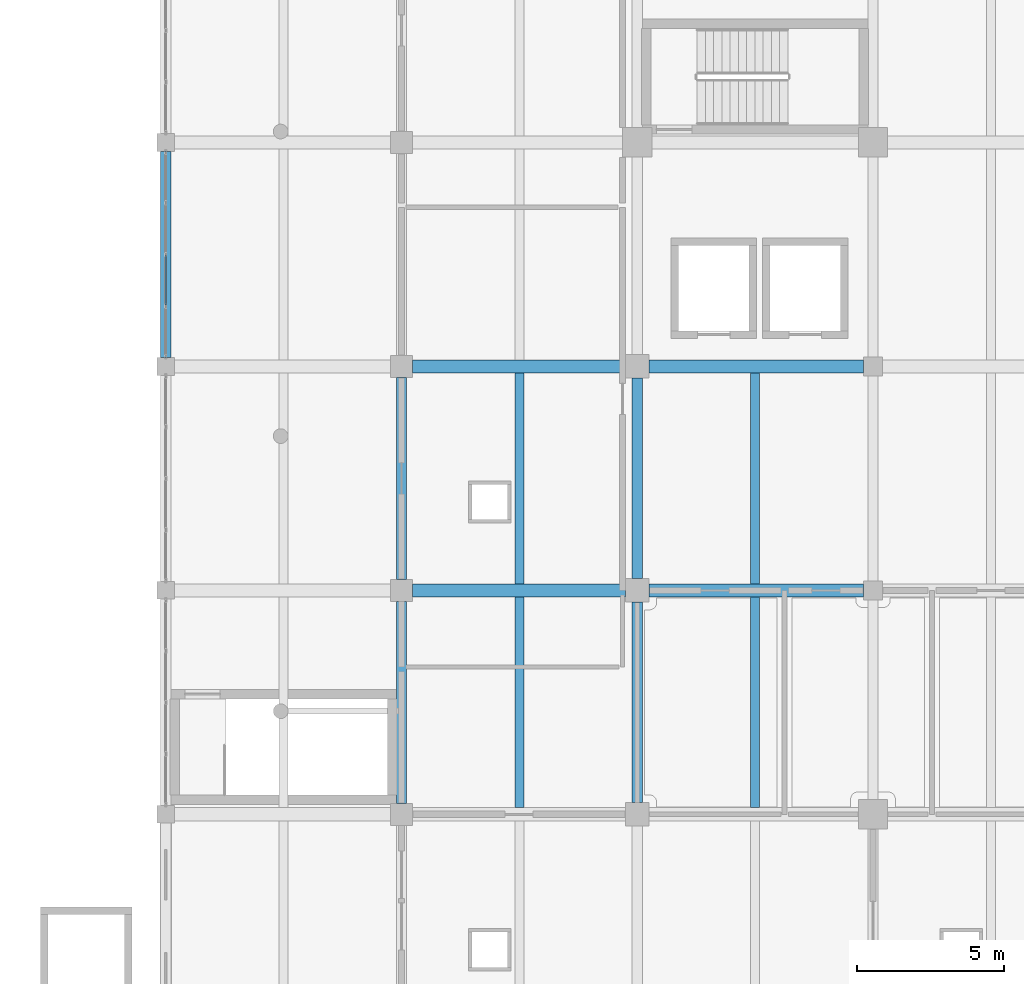
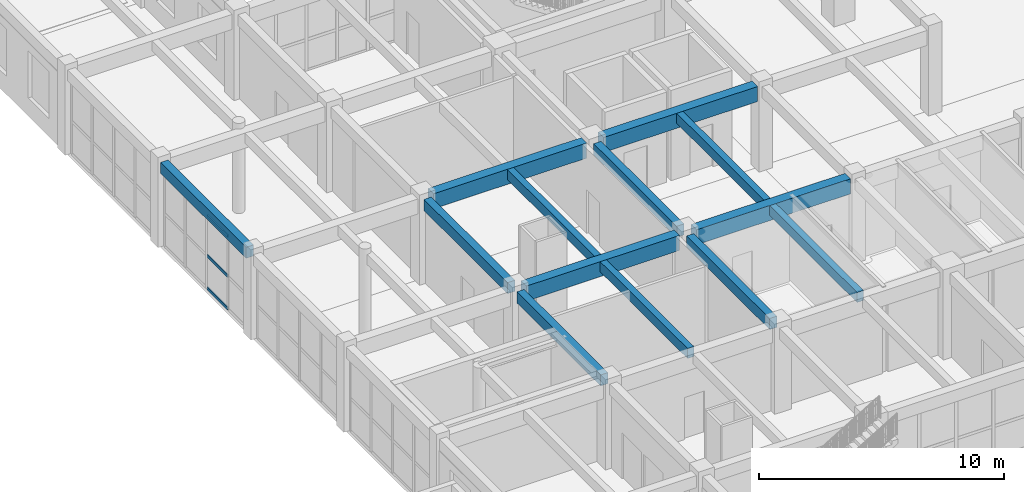
# One storey, part 16 of 79: 13 beams, 3 members, 1 element without a shape of its own.
"""IFC4 building model written with IfcOpenShell, lengths in metres."""

from ifc_helpers import new_model, si_unit, direction, frame, origin, origin_2d, place, context, subcontext, project, spatial, rectangle, hollow_rectangle, extrude, material, material_profile, profile_set, type_object, element, aggregate, save


model = new_model("IFC4")

# Units and contexts
model_context = context("Model", 3, precision=1e-05, world=origin(), true_north=direction((0.0, 1.0)))
body_context = subcontext(model_context, "Body", "Model", "MODEL_VIEW")
ifc_project = project(units=[si_unit("LENGTHUNIT", "METRE"), si_unit("AREAUNIT", "SQUARE_METRE"), si_unit("VOLUMEUNIT", "CUBIC_METRE"), si_unit("PLANEANGLEUNIT", "RADIAN"), si_unit("MASSUNIT", "GRAM", prefix="KILO")], contexts=[model_context])

# Site, building, storey
site_placement = place(None, origin())
site = spatial("IfcSite", under=ifc_project, at=site_placement, CompositionType="ELEMENT")
building_placement = place(site_placement, origin())
building = spatial("IfcBuilding", under=site, at=building_placement, Name="Zantavel Square City Hall", CompositionType="ELEMENT")
storey_placement = place(building_placement, frame((0.0, 0.0, 10.199951171875)))
storey = spatial("IfcBuildingStorey", under=building, at=storey_placement, Name="L03", CompositionType="ELEMENT", Elevation=10.199951171875)

# Curtain wall, members
ifc_material_1 = material(Name="Anodised aluminium 6063-T6", Category="aluminium")
curtain_wall_type = type_object("IfcCurtainWallType", Name="Curtain Wall CRT 7000x3670", PredefinedType="USERDEFINED", material=ifc_material_1)
curtain_wall_placement = place(storey_placement, origin())
curtain_wall = element("IfcCurtainWall", 1, at=curtain_wall_placement, inside=storey, type_object=curtain_wall_type, Name="L03 Glazed Curtain Wall CW-L03-103", ObjectType="GLAZED CURTAIN WALL", PredefinedType="USERDEFINED")
ifc_material_profile_1 = material_profile(ifc_material_1, hollow_rectangle(XDim=0.06005859375, YDim=0.139892578125, WallThickness=0.00390625, at=origin_2d()), Name="ALU 60x140x4")
ifc_profile_set_1 = profile_set([ifc_material_profile_1], Name="Anodised aluminium 6063-T6")
member_type = type_object("IfcMemberType", Name="CW Transom ALU 60x140x4", PredefinedType="USERDEFINED", material=ifc_profile_set_1)
member_1_placement = place(storey_placement, frame((48.0, 55.280029296875, 0.030029296875), z_axis=(0.0, 1.0, 0.0), x_axis=(-1.0, 0.0, 0.0)))
member_1 = element("IfcMember", 2, at=member_1_placement, type_object=member_type, Name="CW-103 transom 2.1", ObjectType="TRANSOM", PredefinedType="USERDEFINED", context=body_context, shape_type="SweptSolid", body=[
    extrude(hollow_rectangle(XDim=0.06005859375, YDim=0.139892578125, WallThickness=0.00390625, at=origin_2d()), origin(), (0.0, 0.0, 1.0), 1.68994140625),
])
member_2_placement = place(storey_placement, frame((48.0, 55.280029296875, 1.651123046875), z_axis=(0.0, 1.0, 0.0), x_axis=(-1.0, 0.0, 0.0)))
member_2 = element("IfcMember", 3, at=member_2_placement, type_object=member_type, Name="CW-103 transom 2.2", ObjectType="TRANSOM", PredefinedType="USERDEFINED", context=body_context, shape_type="SweptSolid", body=[
    extrude(hollow_rectangle(XDim=0.06005859375, YDim=0.139892578125, WallThickness=0.00390625, at=origin_2d()), origin(), (0.0, 0.0, 1.0), 1.68994140625),
])
member_3_placement = place(storey_placement, frame((48.0, 55.280029296875, 3.64013671875), z_axis=(0.0, 1.0, 0.0), x_axis=(-1.0, 0.0, 0.0)))
member_3 = element("IfcMember", 4, at=member_3_placement, type_object=member_type, Name="CW-103 transom 2.3", ObjectType="TRANSOM", PredefinedType="USERDEFINED", context=body_context, shape_type="SweptSolid", body=[
    extrude(hollow_rectangle(XDim=0.06005859375, YDim=0.139892578125, WallThickness=0.00390625, at=origin_2d()), origin(), (0.0, 0.0, 1.0), 1.68994140625),
])
aggregate(curtain_wall, [member_1, member_2, member_3])

# Beams
ifc_material_2 = material(Name="Concrete C35/45", Category="concrete")
ifc_material_profile_2 = material_profile(ifc_material_2, rectangle(XDim=0.300048828125, YDim=0.5, at=origin_2d()), Name="RC 300x500")
ifc_profile_set_2 = profile_set([ifc_material_profile_2], Name="Concrete C35/45")
beam_type_1 = type_object("IfcBeamType", Name="Floor Joist RC 300x500 C35/45", PredefinedType="JOIST", material=ifc_profile_set_2)
beam_1_placement = place(storey_placement, frame((60.0, 38.22509765625, 3.969970703125), z_axis=(0.0, 1.0, 0.0), x_axis=(-1.0, 0.0, 0.0)))
element("IfcBeam", 5, at=beam_1_placement, inside=storey, type_object=beam_type_1, Name="L03 Floor Joist JST-L03-0600-0380", PredefinedType="JOIST", context=body_context, shape_type="SweptSolid", body=[
    extrude(rectangle(XDim=0.300048828125, YDim=0.5, at=origin_2d()), origin(), (0.0, 0.0, 1.0), 7.14990234375),
])
beam_2_placement = place(storey_placement, frame((60.0, 45.824951171875, 3.969970703125), z_axis=(0.0, 1.0, 0.0), x_axis=(-1.0, 0.0, 0.0)))
element("IfcBeam", 6, at=beam_2_placement, inside=storey, type_object=beam_type_1, Name="L03 Floor Joist JST-L03-0600-0456", PredefinedType="JOIST", context=body_context, shape_type="SweptSolid", body=[
    extrude(rectangle(XDim=0.300048828125, YDim=0.5, at=origin_2d()), origin(), (0.0, 0.0, 1.0), 7.150146484375),
])
beam_3_placement = place(storey_placement, frame((68.0, 38.22509765625, 3.969970703125), z_axis=(0.0, 1.0, 0.0), x_axis=(-1.0, 0.0, 0.0)))
element("IfcBeam", 7, at=beam_3_placement, inside=storey, type_object=beam_type_1, Name="L03 Floor Joist JST-L03-0680-0380", PredefinedType="JOIST", context=body_context, shape_type="SweptSolid", body=[
    extrude(rectangle(XDim=0.300048828125, YDim=0.5, at=origin_2d()), origin(), (0.0, 0.0, 1.0), 7.14990234375),
])
beam_4_placement = place(storey_placement, frame((68.0, 45.824951171875, 3.969970703125), z_axis=(0.0, 1.0, 0.0), x_axis=(-1.0, 0.0, 0.0)))
element("IfcBeam", 8, at=beam_4_placement, inside=storey, type_object=beam_type_1, Name="L03 Floor Joist JST-L03-0680-0456", PredefinedType="JOIST", context=body_context, shape_type="SweptSolid", body=[
    extrude(rectangle(XDim=0.300048828125, YDim=0.5, at=origin_2d()), origin(), (0.0, 0.0, 1.0), 7.150146484375),
])
ifc_material_profile_3 = material_profile(ifc_material_2, rectangle(XDim=0.449951171875, YDim=0.75, at=origin_2d()), Name="RC 450x750")
ifc_profile_set_3 = profile_set([ifc_material_profile_3], Name="Concrete C35/45")
beam_type_2 = type_object("IfcBeamType", Name="Primary Girder RC 450x750 C35/45", PredefinedType="BEAM", material=ifc_profile_set_3)
for number, where, z_axis, x_axis, name in (
    (9, (56.375, 45.60009765625, 3.844970703125), (1.0, 0.0, 0.0), (0.0, 1.0, 0.0), "L03 Girder BMX-L03-0560-0456"),
    (10, (56.375, 53.199951171875, 3.844970703125), (1.0, 0.0, 0.0), (0.0, 1.0, 0.0), "L03 Girder BMX-L03-0560-0532"),
):
    element("IfcBeam", number, at=place(storey_placement, frame(where, z_axis=z_axis, x_axis=x_axis)), inside=storey, type_object=beam_type_2, Name=name, PredefinedType="BEAM", context=body_context, shape_type="SweptSolid", body=[
        extrude(rectangle(XDim=0.449951171875, YDim=0.75, at=origin_2d()), origin(), (0.0, 0.0, 1.0), 7.22509765625),
    ])
for number, where, z_axis, x_axis, name in (
    (11, (64.39990234375, 45.60009765625, 3.844970703125), (1.0, 0.0, 0.0), (0.0, 1.0, 0.0), "L03 Girder BMX-L03-0640-0456"),
    (12, (64.39990234375, 53.199951171875, 3.844970703125), (1.0, 0.0, 0.0), (0.0, 1.0, 0.0), "L03 Girder BMX-L03-0640-0532"),
):
    element("IfcBeam", number, at=place(storey_placement, frame(where, z_axis=z_axis, x_axis=x_axis)), inside=storey, type_object=beam_type_2, Name=name, PredefinedType="BEAM", context=body_context, shape_type="SweptSolid", body=[
        extrude(rectangle(XDim=0.449951171875, YDim=0.75, at=origin_2d()), origin(), (0.0, 0.0, 1.0), 7.275146484375),
    ])
ifc_material_profile_4 = material_profile(ifc_material_2, rectangle(XDim=0.35009765625, YDim=0.550048828125, at=origin_2d()), Name="RC 350x550")
ifc_profile_set_4 = profile_set([ifc_material_profile_4], Name="Concrete C35/45")
beam_type_3 = type_object("IfcBeamType", Name="Secondary Beam RC 350x550 C35/45", PredefinedType="BEAM", material=ifc_profile_set_4)
beam_5_placement = place(storey_placement, frame((48.0, 53.5, 3.945068359375), z_axis=(0.0, 1.0, 0.0), x_axis=(-1.0, 0.0, 0.0)))
element("IfcBeam", 13, at=beam_5_placement, inside=storey, type_object=beam_type_3, Name="L03 Beam BMY-L03-0480-0532", PredefinedType="BEAM", context=body_context, shape_type="SweptSolid", body=[
    extrude(rectangle(XDim=0.35009765625, YDim=0.550048828125, at=origin_2d()), origin(), (0.0, 0.0, 1.0), 7.0),
])
beam_6_placement = place(storey_placement, frame((56.0, 38.375, 3.945068359375), z_axis=(0.0, 1.0, 0.0), x_axis=(-1.0, 0.0, 0.0)))
element("IfcBeam", 14, at=beam_6_placement, inside=storey, type_object=beam_type_3, Name="L03 Beam BMY-L03-0560-0380", PredefinedType="BEAM", context=body_context, shape_type="SweptSolid", body=[
    extrude(rectangle(XDim=0.35009765625, YDim=0.550048828125, at=origin_2d()), origin(), (0.0, 0.0, 1.0), 6.85009765625),
])
beam_7_placement = place(storey_placement, frame((56.0, 45.97509765625, 3.945068359375), z_axis=(0.0, 1.0, 0.0), x_axis=(-1.0, 0.0, 0.0)))
element("IfcBeam", 15, at=beam_7_placement, inside=storey, type_object=beam_type_3, Name="L03 Beam BMY-L03-0560-0456", PredefinedType="BEAM", context=body_context, shape_type="SweptSolid", body=[
    extrude(rectangle(XDim=0.35009765625, YDim=0.550048828125, at=origin_2d()), origin(), (0.0, 0.0, 1.0), 6.849853515625),
])
for number, where, z_axis, x_axis, name in (
    (16, (64.0, 38.39990234375, 3.945068359375), (0.0, 1.0, 0.0), (-1.0, 0.0, 0.0), "L03 Beam BMY-L03-0640-0380"),
    (17, (64.0, 46.0, 3.945068359375), (0.0, 1.0, 0.0), (-1.0, 0.0, 0.0), "L03 Beam BMY-L03-0640-0456"),
):
    element("IfcBeam", number, at=place(storey_placement, frame(where, z_axis=z_axis, x_axis=x_axis)), inside=storey, type_object=beam_type_3, Name=name, PredefinedType="BEAM", context=body_context, shape_type="SweptSolid", body=[
        extrude(rectangle(XDim=0.35009765625, YDim=0.550048828125, at=origin_2d()), origin(), (0.0, 0.0, 1.0), 6.800048828125),
    ])

save(model, "model.ifc")
